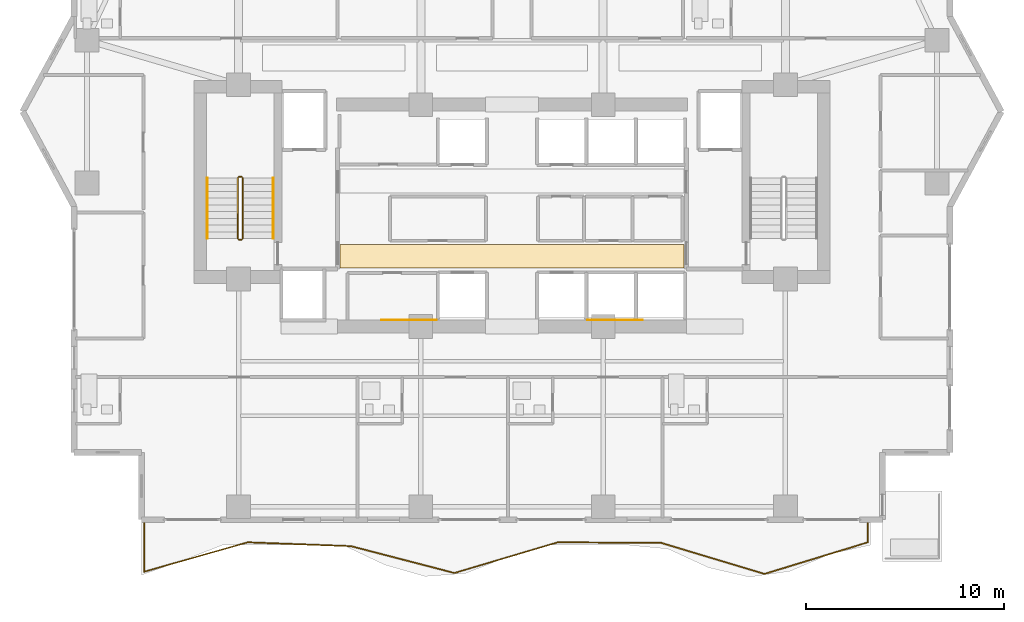
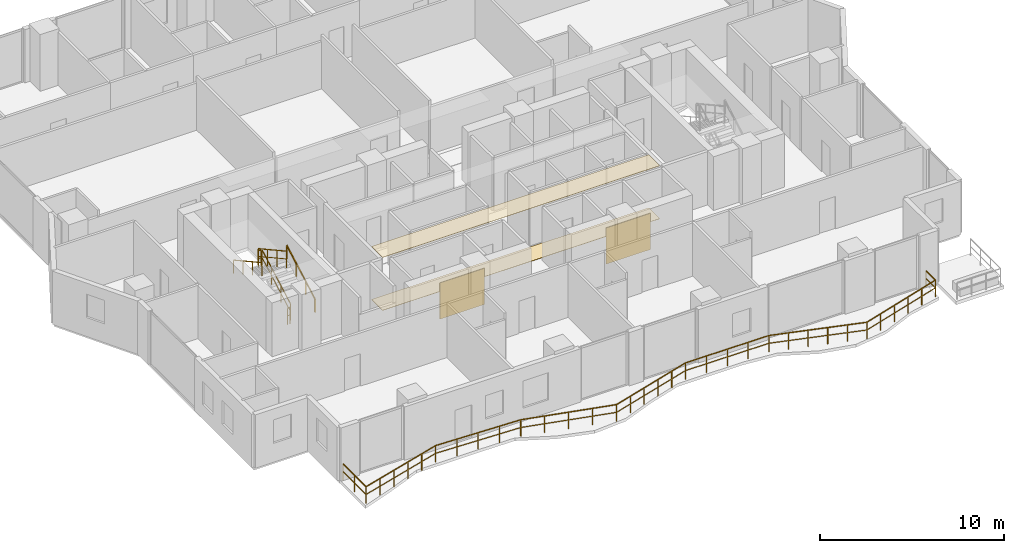
# One storey, part 30 of 33: 7 railings, 4 coverings.
"""IFC4 building model written with IfcOpenShell, lengths in metres."""

import ifcopenshell
import ifcopenshell.guid

model = None  # the IFC model being written
_history = None  # IfcOwnerHistory: only IFC2X3 demands one
_inside = {}  # id of a spatial element -> (the spatial element, [elements in it])
_under = {}  # id of a project, library or spatial element -> (it, [spatial elements below it])
_declared = {}  # id of a project -> (the project, [libraries it declares])
_typed = {}  # id of a type object -> (the type object, [elements of that type])
_made_of = {}  # id of a material, layer set ... -> (it, [elements and type objects made of it])


def new_model(schema):
    """Start an empty IFC model of exactly this schema.

    Asked for "IFC4X3", IfcOpenShell would pick the latest addendum, in which some entities
    have other attributes; the version numbers below select the first issue.
    IFC2X3 requires an IfcOwnerHistory on every rooted entity: one is made here for all.
    """
    global model, _history
    if schema == "IFC4X3":
        model = ifcopenshell.file(schema_version=(4, 3, 0, 0))
    else:
        model = ifcopenshell.file(schema=schema)
    _inside.clear()
    _under.clear()
    _declared.clear()
    _typed.clear()
    _made_of.clear()
    _history = None
    if model.schema == "IFC2X3":
        org = make("IfcOrganization", Name="unknown")
        user = make(
            "IfcPersonAndOrganization",
            ThePerson=make("IfcPerson", FamilyName="unknown"),
            TheOrganization=org,
        )
        app = make(
            "IfcApplication",
            ApplicationDeveloper=org,
            Version="unknown",
            ApplicationFullName="unknown",
            ApplicationIdentifier="unknown",
        )
        _history = make(
            "IfcOwnerHistory",
            OwningUser=user,
            OwningApplication=app,
            ChangeAction="ADDED",
            CreationDate=0,
        )
    return model


def make(cls, **values):
    """One entity of the class cls with the attributes given. An attribute that is None is left unset."""
    return model.create_entity(
        cls, **{name: value for name, value in values.items() if value is not None}
    )


def rooted(cls, **values):
    """An entity with a GlobalId (a new one), such as an element, a storey or a relation."""
    return make(cls, GlobalId=ifcopenshell.guid.new(), OwnerHistory=_history, **values)


def si_unit(unit_type, name, prefix=None):
    """IfcSIUnit, for example si_unit("LENGTHUNIT", "METRE", prefix="MILLI")."""
    return make("IfcSIUnit", UnitType=unit_type, Prefix=prefix, Name=name)


def assignment(units):
    """IfcUnitAssignment: the units of a project."""
    return None if units is None else make("IfcUnitAssignment", Units=units)


def point(xyz):
    """IfcCartesianPoint."""
    return None if xyz is None else make("IfcCartesianPoint", Coordinates=xyz)


def direction(xyz):
    """IfcDirection."""
    return None if xyz is None else make("IfcDirection", DirectionRatios=xyz)


def frame(location, z_axis=None, x_axis=None):
    """IfcAxis2Placement3D, a coordinate frame: its origin and axes. An axis left out is left unset."""
    return make(
        "IfcAxis2Placement3D",
        Location=point(location),
        Axis=direction(z_axis),
        RefDirection=direction(x_axis),
    )


def frame_2d(location, x_axis=None):
    """IfcAxis2Placement2D, a coordinate frame in the plane: its origin and x axis."""
    return make(
        "IfcAxis2Placement2D", Location=point(location), RefDirection=direction(x_axis)
    )


def origin():
    """The frame at (0, 0, 0) with its axes left unset."""
    return frame((0.0, 0.0, 0.0))


def origin_2d():
    """The frame at (0, 0) in the plane with its x axis left unset."""
    return frame_2d((0.0, 0.0))


def place(relative_to, where):
    """IfcLocalPlacement: puts the frame where relative to a parent placement (None: the world)."""
    return make(
        "IfcLocalPlacement", PlacementRelTo=relative_to, RelativePlacement=where
    )


def context(
    kind, dimensions, precision=None, world=None, true_north=None, identifier=None
):
    """IfcGeometricRepresentationContext, for example the 3D "Model" context."""
    return make(
        "IfcGeometricRepresentationContext",
        ContextIdentifier=identifier,
        ContextType=kind,
        CoordinateSpaceDimension=dimensions,
        Precision=precision,
        WorldCoordinateSystem=world,
        TrueNorth=true_north,
    )


def subcontext(parent, identifier, kind, view, scale=None):
    """IfcGeometricRepresentationSubContext, for example "Body" below "Model"."""
    return make(
        "IfcGeometricRepresentationSubContext",
        ContextIdentifier=identifier,
        ContextType=kind,
        ParentContext=parent,
        TargetScale=scale,
        TargetView=view,
    )


def project(units=None, contexts=None):
    """IfcProject with its units and contexts."""
    return rooted(
        "IfcProject",
        Name="project",
        RepresentationContexts=contexts,
        UnitsInContext=assignment(units),
    )


def spatial(cls, under=None, at=None, **own):
    """A site, building, storey or space (cls), placed at a placement, below another one or the project."""
    s = rooted(cls, ObjectPlacement=at, **own)
    if under is not None:
        _under.setdefault(under.id(), (under, []))[1].append(s)
    return s


def polyline(points):
    """IfcPolyline through the points."""
    return make("IfcPolyline", Points=[point(p) for p in points])


def profile(cls, at=None, kind="AREA", **sizes):
    """A parametric profile (cls). Its sizes go by their IFC names, for example OverallWidth=200.0."""
    return make(cls, ProfileType=kind, Position=at, **sizes)


def rectangle(**sizes):
    """IfcRectangleProfileDef."""
    return profile("IfcRectangleProfileDef", **sizes)


def outline(outer, holes=None, kind="AREA"):
    """IfcArbitraryClosedProfileDef: a profile drawn as a closed curve; with holes, ...WithVoids."""
    if holes is None:
        return make("IfcArbitraryClosedProfileDef", ProfileType=kind, OuterCurve=outer)
    return make(
        "IfcArbitraryProfileDefWithVoids",
        ProfileType=kind,
        OuterCurve=outer,
        InnerCurves=holes,
    )


def extrude(swept, where, along, depth):
    """IfcExtrudedAreaSolid: the profile swept, set in the frame where, extruded along a direction by depth."""
    return make(
        "IfcExtrudedAreaSolid",
        SweptArea=swept,
        Position=where,
        ExtrudedDirection=direction(along),
        Depth=depth,
    )


def shape(context_of_items, identifier, shape_type, items):
    """IfcShapeRepresentation: the items that make up one representation, for example the "Body"."""
    return make(
        "IfcShapeRepresentation",
        ContextOfItems=context_of_items,
        RepresentationIdentifier=identifier,
        RepresentationType=shape_type,
        Items=items,
    )


def material(Name=None, Category=None):
    """IfcMaterial."""
    return make("IfcMaterial", Name=Name, Category=Category)


def layer(
    of_material, thickness, ventilated=None, Name=None, Category=None, Priority=None
):
    """IfcMaterialLayer: one layer of a wall or slab, of a material (None: an air gap)."""
    return make(
        "IfcMaterialLayer",
        Material=of_material,
        LayerThickness=thickness,
        IsVentilated=ventilated,
        Name=Name,
        Category=Category,
        Priority=Priority,
    )


def layer_set(layers, Name=None):
    """IfcMaterialLayerSet."""
    return make("IfcMaterialLayerSet", MaterialLayers=layers, LayerSetName=Name)


def made_of(thing, what):
    """Note that an element or type object is made of a material, layer set ...; save() writes the relation."""
    if what is not None:
        _made_of.setdefault(what.id(), (what, []))[1].append(thing)
    return thing


def type_object(cls, material=None, **own):
    """A type object (cls), such as IfcWallType, which elements share."""
    return made_of(rooted(cls, **own), material)


def element(
    cls,
    number,
    at=None,
    inside=None,
    cuts=None,
    type_object=None,
    material=None,
    context=None,
    identifier="Body",
    shape_type=None,
    held_by="IfcProductDefinitionShape",
    body=None,
    shapes=None,
    **own,
):
    """One element of the class cls, such as IfcWall. Its Tag is "e" and its number.

    at: its placement. inside: the storey or other place that contains it. cuts: it is an
    opening in that element (IfcRelVoidsElement). A single representation is given by context,
    identifier, shape_type and body (its items); several are given by shapes. held_by: the class
    of the entity that holds the representations. save() writes the other relations.
    """
    e = rooted(cls, Tag="e%d" % number, ObjectPlacement=at, **own)
    if body is not None:
        shapes = [shape(context, identifier, shape_type, body)]
    if shapes is not None:
        e.Representation = make(held_by, Representations=shapes)
    if inside is not None:
        _inside.setdefault(inside.id(), (inside, []))[1].append(e)
    if cuts is not None:
        rooted(
            "IfcRelVoidsElement", RelatingBuildingElement=cuts, RelatedOpeningElement=e
        )
    if type_object is not None:
        _typed.setdefault(type_object.id(), (type_object, []))[1].append(e)
    return made_of(e, material)


def aggregate(whole, parts):
    """IfcRelAggregates: a whole, such as a stair, and the parts it consists of."""
    return rooted("IfcRelAggregates", RelatingObject=whole, RelatedObjects=parts)


def save(model, path):
    """Write the relations noted so far, then the file.

    IfcRelAggregates (storeys below a building ...), IfcRelContainedInSpatialStructure (elements
    in a storey), IfcRelDefinesByType, IfcRelAssociatesMaterial and IfcRelDeclares: one each for
    every whole, place, type object, material and project.
    """
    for whole, parts in _under.values():
        aggregate(whole, parts)
    for where, things in _inside.values():
        rooted(
            "IfcRelContainedInSpatialStructure",
            RelatedElements=things,
            RelatingStructure=where,
        )
    for kind, things in _typed.values():
        rooted("IfcRelDefinesByType", RelatedObjects=things, RelatingType=kind)
    for what, things in _made_of.values():
        rooted("IfcRelAssociatesMaterial", RelatedObjects=things, RelatingMaterial=what)
    for by, libraries in _declared.values():
        rooted("IfcRelDeclares", RelatingContext=by, RelatedDefinitions=libraries)
    model.write(path)


model = new_model("IFC4")

# Units and contexts
model_context = context("Model", 3, precision=1e-05, world=origin(), true_north=direction((0.0, 1.0)))
body_context = subcontext(model_context, "Body", "Model", "MODEL_VIEW")
ifc_project = project(units=[si_unit("LENGTHUNIT", "METRE"), si_unit("AREAUNIT", "SQUARE_METRE"), si_unit("VOLUMEUNIT", "CUBIC_METRE"), si_unit("PLANEANGLEUNIT", "RADIAN"), si_unit("MASSUNIT", "GRAM", prefix="KILO")], contexts=[model_context])

# Site, building, storey
site_placement = place(None, origin())
site = spatial("IfcSite", under=ifc_project, at=site_placement, CompositionType="ELEMENT")
building_placement = place(site_placement, origin())
building = spatial("IfcBuilding", under=site, at=building_placement, Name="Zuhayl Quay Hotel", CompositionType="ELEMENT")
storey_placement = place(building_placement, frame((0.0, 0.0, 207.39990234375)))
storey = spatial("IfcBuildingStorey", under=building, at=storey_placement, Name="L52", CompositionType="ELEMENT", Elevation=207.39990234375)

# Coverings
ifc_material_1 = material(Name="Acoustic Mineral-Fibre Gypsum Board")
ifc_layer_1 = layer(ifc_material_1, 0.02490234375, Name="Acoustic Mineral-Fibre Gypsum Board")
ifc_layer_set_1 = layer_set([ifc_layer_1], Name="Acoustic Mineral-Fibre Gypsum Board")
covering_type_1 = type_object("IfcCoveringType", Name="CV_CEIL_ACOUSTIC", PredefinedType="CEILING", material=ifc_layer_set_1)
covering_1_placement = place(storey_placement, frame((0.0, 0.0, 3.505126953125)))
element("IfcCovering", 1, at=covering_1_placement, inside=storey, type_object=covering_type_1, Name="L52 Suspended Acoustic Lobby Ceiling S", PredefinedType="CEILING", context=body_context, shape_type="SweptSolid", body=[
    extrude(outline(polyline([(-8.679931640625, 5.10009765625), (8.679931640625, 5.10009765625), (8.679931640625, 6.300048828125), (-8.679931640625, 6.300048828125), (-8.679931640625, 5.10009765625)])), origin(), (0.0, 0.0, 1.0), 0.02490234375),
])
ifc_material_2 = material(Name="Polished Limestone Terrazzo", Category="masonry")
ifc_layer_2 = layer(ifc_material_2, 0.02001953125, Name="Polished Limestone Terrazzo", Category="masonry")
ifc_layer_set_2 = layer_set([ifc_layer_2], Name="Polished Limestone Terrazzo")
covering_type_2 = type_object("IfcCoveringType", Name="CV_FLOOR_TERRAZZO", PredefinedType="FLOORING", material=ifc_layer_set_2)
covering_2_placement = place(storey_placement, origin())
element("IfcCovering", 2, at=covering_2_placement, inside=storey, type_object=covering_type_2, Name="L52 Honed Limestone Terrazzo Lobby Flooring S", PredefinedType="FLOORING", context=body_context, shape_type="SweptSolid", body=[
    extrude(outline(polyline([(-8.679931640625, 5.10009765625), (8.679931640625, 5.10009765625), (8.679931640625, 6.300048828125), (-8.679931640625, 6.300048828125), (-8.679931640625, 5.10009765625)])), origin(), (0.0, 0.0, 1.0), 0.02001953125),
])
ifc_material_3 = material(Name="Acoustic Walnut Feature Timber", Category="wood")
ifc_layer_3 = layer(ifc_material_3, 0.02197265625, Name="Acoustic Walnut Feature Timber", Category="wood")
ifc_layer_set_3 = layer_set([ifc_layer_3], Name="Acoustic Walnut Feature Timber")
covering_type_3 = type_object("IfcCoveringType", Name="CV_WALL_CLAD", PredefinedType="CLADDING", material=ifc_layer_set_3)
for number, where, z_axis, x_axis, name in (
    (3, (-5.199951171875, 2.486083984375, 0.300048828125), (0.0, 0.0, 1.0), (1.0, 0.0, 0.0), "L52 Feature Lobby Walnut Wall Cladding W"),
    (4, (5.199951171875, 2.486083984375, 0.300048828125), (0.0, 0.0, 1.0), (1.0, 0.0, 0.0), "L52 Feature Lobby Walnut Wall Cladding E"),
):
    element("IfcCovering", number, at=place(storey_placement, frame(where, z_axis=z_axis, x_axis=x_axis)), inside=storey, type_object=covering_type_3, Name=name, PredefinedType="CLADDING", context=body_context, shape_type="SweptSolid", body=[
        extrude(rectangle(XDim=2.800048828125, YDim=0.02197265625, at=origin_2d()), origin(), (0.0, 0.0, 1.0), 2.39990234375),
    ])

# Railings
ifc_material_4 = material(Name="Anodised Aluminium and Laminated Glass", Category="aluminium")
railing_type_1 = type_object("IfcRailingType", Name="RL_EXT_BAL_1100", PredefinedType="BALUSTRADE", material=ifc_material_4)
railing_1_placement = place(storey_placement, frame((-18.56005859375, -7.719970703125, 0.0)))
element("IfcRailing", 5, at=railing_1_placement, inside=storey, type_object=railing_type_1, Name="L52 Balcony and Terrace Guard GR_L52_BAL_S", PredefinedType="BALUSTRADE", context=body_context, shape_type="SweptSolid", body=[
    extrude(rectangle(XDim=0.048095703125, YDim=0.048095703125, at=origin_2d()), frame((0.0, 0.0, 1.09619140625), z_axis=(0.0, -1.0, 0.0), x_axis=(1.0, 0.0, 0.0)), (0.0, 0.0, 1.0), 2.50244140625),
    extrude(rectangle(XDim=0.0361328125, YDim=0.0361328125, at=origin_2d()), frame((0.0, 0.0, 0.58251953125), z_axis=(0.0, -1.0, 0.0), x_axis=(1.0, 0.0, 0.0)), (0.0, 0.0, 1.0), 2.50244140625),
    extrude(rectangle(XDim=0.048095703125, YDim=0.048095703125, at=origin_2d()), frame((0.0, -2.50244140625, 1.09619140625), z_axis=(0.961920430016, 0.273329629419, 0.0), x_axis=(-0.273329629419, 0.961920430016, 0.0)), (0.0, 0.0, 1.0), 5.423583984375),
    extrude(rectangle(XDim=0.0361328125, YDim=0.0361328125, at=origin_2d()), frame((0.0, -2.50244140625, 0.58251953125), z_axis=(0.961920430016, 0.273329629419, 0.0), x_axis=(-0.273329629419, 0.961920430016, 0.0)), (0.0, 0.0, 1.0), 5.423583984375),
    extrude(rectangle(XDim=0.048095703125, YDim=0.048095703125, at=origin_2d()), frame((5.217041015625, -1.02001953125, 1.09619140625), z_axis=(0.999306996447, -0.037222665848, 0.0), x_axis=(0.037222665848, 0.999306996447, 0.0)), (0.0, 0.0, 1.0), 5.220947265625),
    extrude(rectangle(XDim=0.0361328125, YDim=0.0361328125, at=origin_2d()), frame((5.217041015625, -1.02001953125, 0.58251953125), z_axis=(0.999306996447, -0.037222665848, 0.0), x_axis=(0.037222665848, 0.999306996447, 0.0)), (0.0, 0.0, 1.0), 5.220947265625),
    extrude(rectangle(XDim=0.048095703125, YDim=0.048095703125, at=origin_2d()), frame((10.434326171875, -1.21435546875, 1.09619140625), z_axis=(0.967865952583, -0.251466693282, 0.0), x_axis=(0.251466693282, 0.967865952583, 0.0)), (0.0, 0.0, 1.0), 5.39013671875),
    extrude(rectangle(XDim=0.0361328125, YDim=0.0361328125, at=origin_2d()), frame((10.434326171875, -1.21435546875, 0.58251953125), z_axis=(0.967865952583, -0.251466693282, 0.0), x_axis=(0.251466693282, 0.967865952583, 0.0)), (0.0, 0.0, 1.0), 5.39013671875),
    extrude(rectangle(XDim=0.048095703125, YDim=0.048095703125, at=origin_2d()), frame((15.6513671875, -2.56982421875, 1.09619140625), z_axis=(0.958600577212, 0.284754163039, 0.0), x_axis=(-0.284754163039, 0.958600577212, 0.0)), (0.0, 0.0, 1.0), 5.442626953125),
    extrude(rectangle(XDim=0.0361328125, YDim=0.0361328125, at=origin_2d()), frame((15.6513671875, -2.56982421875, 0.58251953125), z_axis=(0.958600577212, 0.284754163039, 0.0), x_axis=(-0.284754163039, 0.958600577212, 0.0)), (0.0, 0.0, 1.0), 5.442626953125),
    extrude(rectangle(XDim=0.048095703125, YDim=0.048095703125, at=origin_2d()), frame((20.86865234375, -1.02001953125, 1.09619140625), z_axis=(0.999986509167, -0.005194370467, 0.0), x_axis=(0.005194370467, 0.999986509167, 0.0)), (0.0, 0.0, 1.0), 5.217041015625),
    extrude(rectangle(XDim=0.0361328125, YDim=0.0361328125, at=origin_2d()), frame((20.86865234375, -1.02001953125, 0.58251953125), z_axis=(0.999986509167, -0.005194370467, 0.0), x_axis=(0.005194370467, 0.999986509167, 0.0)), (0.0, 0.0, 1.0), 5.217041015625),
    extrude(rectangle(XDim=0.048095703125, YDim=0.048095703125, at=origin_2d()), frame((26.085693359375, -1.047119140625, 1.09619140625), z_axis=(0.957678148157, -0.287841214114, 0.0), x_axis=(0.287841214114, 0.957678148157, 0.0)), (0.0, 0.0, 1.0), 5.44775390625),
    extrude(rectangle(XDim=0.0361328125, YDim=0.0361328125, at=origin_2d()), frame((26.085693359375, -1.047119140625, 0.58251953125), z_axis=(0.957678148157, -0.287841214114, 0.0), x_axis=(0.287841214114, 0.957678148157, 0.0)), (0.0, 0.0, 1.0), 5.44775390625),
    extrude(rectangle(XDim=0.048095703125, YDim=0.048095703125, at=origin_2d()), frame((31.302978515625, -2.615234375, 1.09619140625), z_axis=(0.956294231605, 0.292406126132, 0.0), x_axis=(-0.292406126132, 0.956294231605, 0.0)), (0.0, 0.0, 1.0), 5.45556640625),
    extrude(rectangle(XDim=0.0361328125, YDim=0.0361328125, at=origin_2d()), frame((31.302978515625, -2.615234375, 0.58251953125), z_axis=(0.956294231605, 0.292406126132, 0.0), x_axis=(-0.292406126132, 0.956294231605, 0.0)), (0.0, 0.0, 1.0), 5.45556640625),
    extrude(rectangle(XDim=0.048095703125, YDim=0.048095703125, at=origin_2d()), frame((36.52001953125, -1.02001953125, 1.09619140625), z_axis=(0.0, 1.0, 0.0), x_axis=(-1.0, 0.0, 0.0)), (0.0, 0.0, 1.0), 1.02001953125),
    extrude(rectangle(XDim=0.0361328125, YDim=0.0361328125, at=origin_2d()), frame((36.52001953125, -1.02001953125, 0.58251953125), z_axis=(0.0, 1.0, 0.0), x_axis=(-1.0, 0.0, 0.0)), (0.0, 0.0, 1.0), 1.02001953125),
    extrude(rectangle(XDim=0.0419921875, YDim=0.0419921875, at=origin_2d()), origin(), (0.0, 0.0, 1.0), 1.072021484375),
    extrude(rectangle(XDim=0.0419921875, YDim=0.0419921875, at=origin_2d()), frame((0.0, -1.251220703125, 0.0)), (0.0, 0.0, 1.0), 1.072021484375),
    extrude(rectangle(XDim=0.0419921875, YDim=0.0419921875, at=origin_2d()), frame((0.0, -2.50244140625, 0.0)), (0.0, 0.0, 1.0), 1.072021484375),
    extrude(rectangle(XDim=0.0419921875, YDim=0.0419921875, at=origin_2d()), frame((1.04345703125, -2.2060546875, 0.0)), (0.0, 0.0, 1.0), 1.072021484375),
    extrude(rectangle(XDim=0.0419921875, YDim=0.0419921875, at=origin_2d()), frame((2.0869140625, -1.909423828125, 0.0)), (0.0, 0.0, 1.0), 1.072021484375),
    extrude(rectangle(XDim=0.0419921875, YDim=0.0419921875, at=origin_2d()), frame((3.130126953125, -1.613037109375, 0.0)), (0.0, 0.0, 1.0), 1.072021484375),
    extrude(rectangle(XDim=0.0419921875, YDim=0.0419921875, at=origin_2d()), frame((4.173583984375, -1.31640625, 0.0)), (0.0, 0.0, 1.0), 1.072021484375),
    extrude(rectangle(XDim=0.0419921875, YDim=0.0419921875, at=origin_2d()), frame((5.217041015625, -1.02001953125, 0.0)), (0.0, 0.0, 1.0), 1.072021484375),
    extrude(rectangle(XDim=0.0419921875, YDim=0.0419921875, at=origin_2d()), frame((6.521484375, -1.068603515625, 0.0)), (0.0, 0.0, 1.0), 1.072021484375),
    extrude(rectangle(XDim=0.0419921875, YDim=0.0419921875, at=origin_2d()), frame((7.82568359375, -1.1171875, 0.0)), (0.0, 0.0, 1.0), 1.072021484375),
    extrude(rectangle(XDim=0.0419921875, YDim=0.0419921875, at=origin_2d()), frame((9.1298828125, -1.165771484375, 0.0)), (0.0, 0.0, 1.0), 1.072021484375),
    extrude(rectangle(XDim=0.0419921875, YDim=0.0419921875, at=origin_2d()), frame((10.434326171875, -1.21435546875, 0.0)), (0.0, 0.0, 1.0), 1.072021484375),
    extrude(rectangle(XDim=0.0419921875, YDim=0.0419921875, at=origin_2d()), frame((11.738525390625, -1.55322265625, 0.0)), (0.0, 0.0, 1.0), 1.072021484375),
    extrude(rectangle(XDim=0.0419921875, YDim=0.0419921875, at=origin_2d()), frame((13.04296875, -1.89208984375, 0.0)), (0.0, 0.0, 1.0), 1.072021484375),
    extrude(rectangle(XDim=0.0419921875, YDim=0.0419921875, at=origin_2d()), frame((14.34716796875, -2.23095703125, 0.0)), (0.0, 0.0, 1.0), 1.072021484375),
    extrude(rectangle(XDim=0.0419921875, YDim=0.0419921875, at=origin_2d()), frame((15.6513671875, -2.56982421875, 0.0)), (0.0, 0.0, 1.0), 1.072021484375),
    extrude(rectangle(XDim=0.0419921875, YDim=0.0419921875, at=origin_2d()), frame((16.69482421875, -2.259765625, 0.0)), (0.0, 0.0, 1.0), 1.072021484375),
    extrude(rectangle(XDim=0.0419921875, YDim=0.0419921875, at=origin_2d()), frame((17.73828125, -1.949951171875, 0.0)), (0.0, 0.0, 1.0), 1.072021484375),
    extrude(rectangle(XDim=0.0419921875, YDim=0.0419921875, at=origin_2d()), frame((18.78173828125, -1.639892578125, 0.0)), (0.0, 0.0, 1.0), 1.072021484375),
    extrude(rectangle(XDim=0.0419921875, YDim=0.0419921875, at=origin_2d()), frame((19.8251953125, -1.330078125, 0.0)), (0.0, 0.0, 1.0), 1.072021484375),
    extrude(rectangle(XDim=0.0419921875, YDim=0.0419921875, at=origin_2d()), frame((20.86865234375, -1.02001953125, 0.0)), (0.0, 0.0, 1.0), 1.072021484375),
    extrude(rectangle(XDim=0.0419921875, YDim=0.0419921875, at=origin_2d()), frame((22.1728515625, -1.02685546875, 0.0)), (0.0, 0.0, 1.0), 1.072021484375),
    extrude(rectangle(XDim=0.0419921875, YDim=0.0419921875, at=origin_2d()), frame((23.47705078125, -1.03369140625, 0.0)), (0.0, 0.0, 1.0), 1.072021484375),
    extrude(rectangle(XDim=0.0419921875, YDim=0.0419921875, at=origin_2d()), frame((24.781494140625, -1.040283203125, 0.0)), (0.0, 0.0, 1.0), 1.072021484375),
    extrude(rectangle(XDim=0.0419921875, YDim=0.0419921875, at=origin_2d()), frame((26.085693359375, -1.047119140625, 0.0)), (0.0, 0.0, 1.0), 1.072021484375),
    extrude(rectangle(XDim=0.0419921875, YDim=0.0419921875, at=origin_2d()), frame((27.129150390625, -1.36083984375, 0.0)), (0.0, 0.0, 1.0), 1.072021484375),
    extrude(rectangle(XDim=0.0419921875, YDim=0.0419921875, at=origin_2d()), frame((28.172607421875, -1.67431640625, 0.0)), (0.0, 0.0, 1.0), 1.072021484375),
    extrude(rectangle(XDim=0.0419921875, YDim=0.0419921875, at=origin_2d()), frame((29.216064453125, -1.988037109375, 0.0)), (0.0, 0.0, 1.0), 1.072021484375),
    extrude(rectangle(XDim=0.0419921875, YDim=0.0419921875, at=origin_2d()), frame((30.259521484375, -2.301513671875, 0.0)), (0.0, 0.0, 1.0), 1.072021484375),
    extrude(rectangle(XDim=0.0419921875, YDim=0.0419921875, at=origin_2d()), frame((31.302978515625, -2.615234375, 0.0)), (0.0, 0.0, 1.0), 1.072021484375),
    extrude(rectangle(XDim=0.0419921875, YDim=0.0419921875, at=origin_2d()), frame((32.346435546875, -2.296142578125, 0.0)), (0.0, 0.0, 1.0), 1.072021484375),
    extrude(rectangle(XDim=0.0419921875, YDim=0.0419921875, at=origin_2d()), frame((33.389892578125, -1.97705078125, 0.0)), (0.0, 0.0, 1.0), 1.072021484375),
    extrude(rectangle(XDim=0.0419921875, YDim=0.0419921875, at=origin_2d()), frame((34.43310546875, -1.658203125, 0.0)), (0.0, 0.0, 1.0), 1.072021484375),
    extrude(rectangle(XDim=0.0419921875, YDim=0.0419921875, at=origin_2d()), frame((35.4765625, -1.339111328125, 0.0)), (0.0, 0.0, 1.0), 1.072021484375),
    extrude(rectangle(XDim=0.0419921875, YDim=0.0419921875, at=origin_2d()), frame((36.52001953125, -1.02001953125, 0.0)), (0.0, 0.0, 1.0), 1.072021484375),
    extrude(rectangle(XDim=0.0419921875, YDim=0.0419921875, at=origin_2d()), frame((36.52001953125, 0.0, 0.0)), (0.0, 0.0, 1.0), 1.072021484375),
])
ifc_material_5 = material(Name="Steel ASTM A992 Grade 50", Category="steel")
railing_type_2 = type_object("IfcRailingType", Name="RL_GUARD_1100", PredefinedType="GUARDRAIL", material=ifc_material_5)
railing_2_placement = place(storey_placement, frame((-13.590087890625, 6.590087890625, 0.1875)))
element("IfcRailing", 6, at=railing_2_placement, inside=storey, type_object=railing_type_2, Name="L52 ST1 stair guard 1", PredefinedType="GUARDRAIL", context=body_context, shape_type="SweptSolid", body=[
    extrude(rectangle(XDim=0.048095703125, YDim=0.048095703125, at=origin_2d()), frame((0.0, 0.0, 1.09619140625), z_axis=(0.0, 0.875659195171, 0.482929574485), x_axis=(-1.0, 0.0, 0.0)), (0.0, 0.0, 1.0), 3.494384765625),
    extrude(rectangle(XDim=0.0361328125, YDim=0.0361328125, at=origin_2d()), frame((0.0, 0.0, 0.58251953125), z_axis=(0.0, 0.875659195171, 0.482929574485), x_axis=(-1.0, 0.0, 0.0)), (0.0, 0.0, 1.0), 3.494384765625),
    extrude(rectangle(XDim=0.0419921875, YDim=0.0419921875, at=origin_2d()), origin(), (0.0, 0.0, 1.0), 1.072021484375),
    extrude(rectangle(XDim=0.0419921875, YDim=0.0419921875, at=origin_2d()), frame((0.0, 1.02001953125, 0.5625)), (0.0, 0.0, 1.0), 1.072021484375),
    extrude(rectangle(XDim=0.0419921875, YDim=0.0419921875, at=origin_2d()), frame((0.0, 2.039794921875, 1.125)), (0.0, 0.0, 1.0), 1.072021484375),
    extrude(rectangle(XDim=0.0419921875, YDim=0.0419921875, at=origin_2d()), frame((0.0, 3.059814453125, 1.6875)), (0.0, 0.0, 1.0), 1.072021484375),
])
railing_3_placement = place(storey_placement, frame((-13.639892578125, 9.699951171875, 1.875)))
element("IfcRailing", 7, at=railing_3_placement, inside=storey, type_object=railing_type_2, Name="L52 ST1 stair guard 2", PredefinedType="GUARDRAIL", context=body_context, shape_type="SweptSolid", body=[
    extrude(rectangle(XDim=0.048095703125, YDim=0.048095703125, at=origin_2d()), frame((0.0, 0.0, 1.09619140625), z_axis=(-1.0, 0.0, 0.0), x_axis=(0.0, -1.0, 0.0)), (0.0, 0.0, 1.0), 0.150146484375),
    extrude(rectangle(XDim=0.0361328125, YDim=0.0361328125, at=origin_2d()), frame((0.0, 0.0, 0.58251953125), z_axis=(-1.0, 0.0, 0.0), x_axis=(0.0, -1.0, 0.0)), (0.0, 0.0, 1.0), 0.150146484375),
    extrude(rectangle(XDim=0.0419921875, YDim=0.0419921875, at=origin_2d()), origin(), (0.0, 0.0, 1.0), 1.072021484375),
    extrude(rectangle(XDim=0.0419921875, YDim=0.0419921875, at=origin_2d()), frame((-0.150146484375, 0.0, 0.0)), (0.0, 0.0, 1.0), 1.072021484375),
])
railing_4_placement = place(storey_placement, frame((-13.840087890625, 9.64990234375, 2.0625)))
element("IfcRailing", 8, at=railing_4_placement, inside=storey, type_object=railing_type_2, Name="L52 ST1 stair guard 3", PredefinedType="GUARDRAIL", context=body_context, shape_type="SweptSolid", body=[
    extrude(rectangle(XDim=0.048095703125, YDim=0.048095703125, at=origin_2d()), frame((0.0, 0.0, 1.09619140625), z_axis=(0.0, -0.875659195171, 0.482929574485), x_axis=(1.0, 0.0, 0.0)), (0.0, 0.0, 1.0), 3.494384765625),
    extrude(rectangle(XDim=0.0361328125, YDim=0.0361328125, at=origin_2d()), frame((0.0, 0.0, 0.58251953125), z_axis=(0.0, -0.875659195171, 0.482929574485), x_axis=(1.0, 0.0, 0.0)), (0.0, 0.0, 1.0), 3.494384765625),
    extrude(rectangle(XDim=0.0419921875, YDim=0.0419921875, at=origin_2d()), origin(), (0.0, 0.0, 1.0), 1.072021484375),
    extrude(rectangle(XDim=0.0419921875, YDim=0.0419921875, at=origin_2d()), frame((0.0, -1.02001953125, 0.5625)), (0.0, 0.0, 1.0), 1.072021484375),
    extrude(rectangle(XDim=0.0419921875, YDim=0.0419921875, at=origin_2d()), frame((0.0, -2.039794921875, 1.125)), (0.0, 0.0, 1.0), 1.072021484375),
    extrude(rectangle(XDim=0.0419921875, YDim=0.0419921875, at=origin_2d()), frame((0.0, -3.059814453125, 1.6875)), (0.0, 0.0, 1.0), 1.072021484375),
])
railing_5_placement = place(storey_placement, frame((-13.639892578125, 6.5400390625, 0.0)))
element("IfcRailing", 9, at=railing_5_placement, inside=storey, type_object=railing_type_2, Name="L52 ST1 stair guard 4", PredefinedType="GUARDRAIL", context=body_context, shape_type="SweptSolid", body=[
    extrude(rectangle(XDim=0.048095703125, YDim=0.048095703125, at=origin_2d()), frame((0.0, 0.0, 1.09619140625), z_axis=(-1.0, 0.0, 0.0), x_axis=(0.0, -1.0, 0.0)), (0.0, 0.0, 1.0), 0.150146484375),
    extrude(rectangle(XDim=0.0361328125, YDim=0.0361328125, at=origin_2d()), frame((0.0, 0.0, 0.58251953125), z_axis=(-1.0, 0.0, 0.0), x_axis=(0.0, -1.0, 0.0)), (0.0, 0.0, 1.0), 0.150146484375),
    extrude(rectangle(XDim=0.0419921875, YDim=0.0419921875, at=origin_2d()), origin(), (0.0, 0.0, 1.0), 1.072021484375),
    extrude(rectangle(XDim=0.0419921875, YDim=0.0419921875, at=origin_2d()), frame((-0.150146484375, 0.0, 0.0)), (0.0, 0.0, 1.0), 1.072021484375),
])
railing_type_3 = type_object("IfcRailingType", Name="RL_HANDRAIL_920", PredefinedType="HANDRAIL", material=ifc_material_5)
railing_6_placement = place(storey_placement, frame((-12.050048828125, 6.590087890625, 0.1875)))
element("IfcRailing", 10, at=railing_6_placement, inside=storey, type_object=railing_type_3, Name="L52 ST1 stair handrail 1", PredefinedType="HANDRAIL", context=body_context, shape_type="SweptSolid", body=[
    extrude(rectangle(XDim=0.048095703125, YDim=0.048095703125, at=origin_2d()), frame((0.0, 0.0, 0.8759765625), z_axis=(0.0, 0.875659195171, 0.482929574485), x_axis=(-1.0, 0.0, 0.0)), (0.0, 0.0, 1.0), 3.494384765625),
    extrude(rectangle(XDim=0.0419921875, YDim=0.0419921875, at=origin_2d()), origin(), (0.0, 0.0, 1.0), 0.851806640625),
    extrude(rectangle(XDim=0.0419921875, YDim=0.0419921875, at=origin_2d()), frame((0.0, 1.02001953125, 0.5625)), (0.0, 0.0, 1.0), 0.851806640625),
    extrude(rectangle(XDim=0.0419921875, YDim=0.0419921875, at=origin_2d()), frame((0.0, 2.039794921875, 1.125)), (0.0, 0.0, 1.0), 0.851806640625),
    extrude(rectangle(XDim=0.0419921875, YDim=0.0419921875, at=origin_2d()), frame((0.0, 3.059814453125, 1.6875)), (0.0, 0.0, 1.0), 0.851806640625),
])
railing_7_placement = place(storey_placement, frame((-15.3798828125, 9.64990234375, 2.0625)))
element("IfcRailing", 11, at=railing_7_placement, inside=storey, type_object=railing_type_3, Name="L52 ST1 stair handrail 2", PredefinedType="HANDRAIL", context=body_context, shape_type="SweptSolid", body=[
    extrude(rectangle(XDim=0.048095703125, YDim=0.048095703125, at=origin_2d()), frame((0.0, 0.0, 0.8759765625), z_axis=(0.0, -0.875659195171, 0.482929574485), x_axis=(1.0, 0.0, 0.0)), (0.0, 0.0, 1.0), 3.494384765625),
    extrude(rectangle(XDim=0.0419921875, YDim=0.0419921875, at=origin_2d()), origin(), (0.0, 0.0, 1.0), 0.851806640625),
    extrude(rectangle(XDim=0.0419921875, YDim=0.0419921875, at=origin_2d()), frame((0.0, -1.02001953125, 0.5625)), (0.0, 0.0, 1.0), 0.851806640625),
    extrude(rectangle(XDim=0.0419921875, YDim=0.0419921875, at=origin_2d()), frame((0.0, -2.039794921875, 1.125)), (0.0, 0.0, 1.0), 0.851806640625),
    extrude(rectangle(XDim=0.0419921875, YDim=0.0419921875, at=origin_2d()), frame((0.0, -3.059814453125, 1.6875)), (0.0, 0.0, 1.0), 0.851806640625),
])

save(model, "model.ifc")
